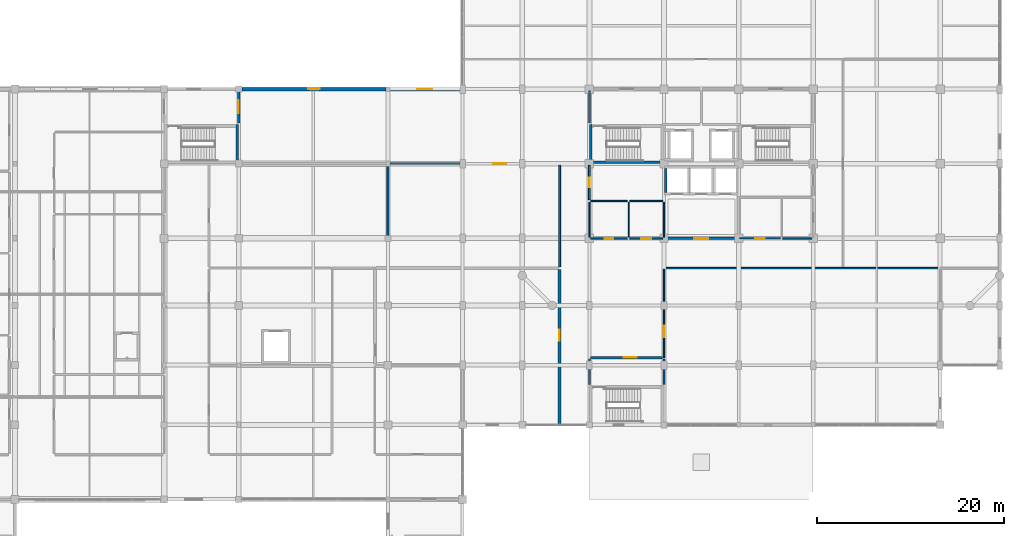
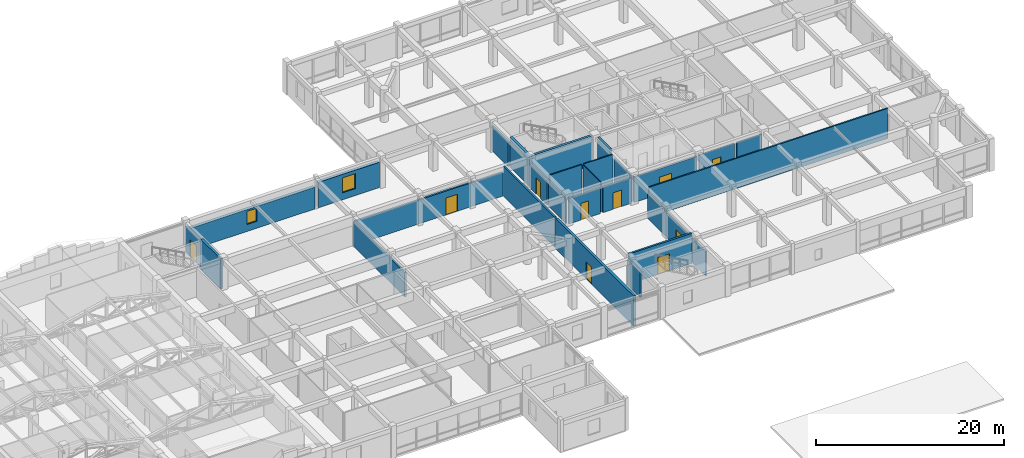
# One storey, part 30 of 35: 28 walls, 10 doors, 2 windows, 12 openings.
"""IFC4 building model written with IfcOpenShell, lengths in metres."""

from ifc_helpers import new_model, si_unit, direction, frame, frame_2d, origin, place, context, subcontext, project, spatial, rectangle, extrude, material, layer, layer_set, type_object, element, fill, save


model = new_model("IFC4")

# Units and contexts
model_context = context("Model", 3, precision=1e-05, world=origin(), true_north=direction((0.0, 1.0)))
body_context = subcontext(model_context, "Body", "Model", "MODEL_VIEW")
ifc_project = project(units=[si_unit("LENGTHUNIT", "METRE"), si_unit("AREAUNIT", "SQUARE_METRE"), si_unit("VOLUMEUNIT", "CUBIC_METRE"), si_unit("PLANEANGLEUNIT", "RADIAN"), si_unit("MASSUNIT", "GRAM", prefix="KILO")], contexts=[model_context])

# Site, building, storey
site_placement = place(None, origin())
site = spatial("IfcSite", under=ifc_project, at=site_placement, CompositionType="ELEMENT")
building_placement = place(site_placement, origin())
building = spatial("IfcBuilding", under=site, at=building_placement, Name="Vellmiral Cinema and Media Centre", CompositionType="ELEMENT")
storey_placement = place(building_placement, frame((0.0, 0.0, 15.60009765625)))
storey = spatial("IfcBuildingStorey", under=building, at=storey_placement, Name="L03", CompositionType="ELEMENT", Elevation=15.60009765625)

# Wall, opening, door
ifc_material_1 = material(Name="Calcium-Silicate Masonry Blockwork", Category="masonry")
ifc_layer_1 = layer(ifc_material_1, 0.10009765625, Name="Calcium-Silicate Masonry Blockwork", Category="masonry")
ifc_material_2 = material(Name="Mineral Wool Acoustic Insulation", Category="insulation")
ifc_layer_2 = layer(ifc_material_2, 0.090087890625, Name="Mineral Wool Acoustic Insulation", Category="insulation")
ifc_layer_3 = layer(ifc_material_1, 0.10009765625, Name="Calcium-Silicate Masonry Blockwork", Category="masonry")
ifc_layer_set_1 = layer_set([ifc_layer_1, ifc_layer_2, ifc_layer_3], Name="Calcium-Silicate Masonry Blockwork")
wall_type_1 = type_object("IfcWallType", Name="WL-AC-290", PredefinedType="SOLIDWALL", material=ifc_layer_set_1)
wall_1_placement = place(storey_placement, frame((120.800048828125, 59.304931640625, 0.0), z_axis=(0.0, 0.0, 1.0), x_axis=(0.0, 1.0, 0.0)))
wall_1 = element("IfcWall", 1, at=wall_1_placement, inside=storey, type_object=wall_type_1, Name="Colour Mastering Suite 02 Wall E", PredefinedType="SOLIDWALL", context=body_context, shape_type="SweptSolid", body=[
    extrude(rectangle(XDim=16.55517578125, YDim=0.2900390625, at=frame_2d((8.277587890625, 0.0))), origin(), (0.0, 0.0, 1.0), 3.89990234375),
])
opening_1_placement = place(wall_1_placement, frame((8.89501953125, 0.0, 0.0)))
opening_1 = element("IfcOpeningElement", 2, at=opening_1_placement, cuts=wall_1, Name="Opening D-AC5", PredefinedType="OPENING", context=body_context, shape_type="SweptSolid", body=[
    extrude(rectangle(XDim=1.199951171875, YDim=2.199951171875, at=frame_2d((0.60009765625, 1.10009765625))), frame((0.0, 0.156982421875, 0.0), z_axis=(0.0, -1.0, 0.0), x_axis=(1.0, 0.0, 0.0)), (0.0, 0.0, 1.0), 0.31396484375),
])
ifc_material_3 = material(Name="Acoustic Mastering Door", Category="steel")
door_type_1 = type_object("IfcDoorType", Name="DR-AC-1200x2200", OperationType="NOTDEFINED", PredefinedType="DOOR", material=ifc_material_3)
door_1_placement = place(opening_1_placement, origin())
door_1 = element("IfcDoor", 3, at=door_1_placement, inside=storey, type_object=door_type_1, Name="Colour Mastering Suite 02 Door", OperationType="SINGLE_SWING_RIGHT", OverallHeight=2.199951171875, OverallWidth=1.199951171875, PredefinedType="DOOR", context=body_context, shape_type="SweptSolid", body=[
    extrude(rectangle(XDim=1.199951171875, YDim=2.199951171875, at=frame_2d((0.60009765625, 1.10009765625))), frame((0.0, 0.02490234375, 0.0), z_axis=(0.0, -1.0, 0.0), x_axis=(1.0, 0.0, 0.0)), (0.0, 0.0, 1.0), 0.050048828125),
])
fill(opening_1, door_1)

ifc_material_4 = material(Name="Concrete C40/50", Category="concrete")
ifc_layer_4 = layer(ifc_material_4, 0.2099609375, Name="Concrete C40/50")
ifc_layer_set_2 = layer_set([ifc_layer_4], Name="Concrete C40/50")
wall_type_2 = type_object("IfcWallType", Name="WL-COMP-210", PredefinedType="SOLIDWALL", material=ifc_layer_set_2)
wall_2_placement = place(storey_placement, frame((124.0, 83.340087890625, 0.0), z_axis=(0.0, 0.0, 1.0), x_axis=(0.0, 1.0, 0.0)))
wall_2 = element("IfcWall", 4, at=wall_2_placement, inside=storey, type_object=wall_type_2, Name="Electrical and Telecom Riser Room Wall W", PredefinedType="SOLIDWALL", context=body_context, shape_type="SweptSolid", body=[
    extrude(rectangle(XDim=3.719970703125, YDim=0.2099609375, at=frame_2d((1.85986328125, 0.0))), origin(), (0.0, 0.0, 1.0), 3.094970703125),
])
opening_2_placement = place(wall_2_placement, frame((1.360107421875, 0.0, 0.0)))
opening_2 = element("IfcOpeningElement", 5, at=opening_2_placement, cuts=wall_2, Name="Opening D-FD30B", PredefinedType="OPENING", context=body_context, shape_type="SweptSolid", body=[
    extrude(rectangle(XDim=1.0, YDim=2.14990234375, at=frame_2d((0.5, 1.074951171875))), frame((0.0, 0.116943359375, 0.0), z_axis=(0.0, -1.0, 0.0), x_axis=(1.0, 0.0, 0.0)), (0.0, 0.0, 1.0), 0.23388671875),
])
ifc_material_5 = material(Name="Steel Riser Fire Door", Category="steel")
door_type_2 = type_object("IfcDoorType", Name="DR-FD30-1000x2150", OperationType="NOTDEFINED", PredefinedType="DOOR", material=ifc_material_5)
door_2_placement = place(opening_2_placement, frame((1.0, 0.0, 0.0), z_axis=(0.0, 0.0, 1.0), x_axis=(-1.0, 0.0, 0.0)))
door_2 = element("IfcDoor", 6, at=door_2_placement, inside=storey, type_object=door_type_2, Name="Electrical and Telecom Riser Room Door", OperationType="SINGLE_SWING_RIGHT", OverallHeight=2.14990234375, OverallWidth=1.0, PredefinedType="DOOR", context=body_context, shape_type="SweptSolid", body=[
    extrude(rectangle(XDim=1.0, YDim=2.14990234375, at=frame_2d((0.5, 1.074951171875))), frame((0.0, 0.02490234375, 0.0), z_axis=(0.0, -1.0, 0.0), x_axis=(1.0, 0.0, 0.0)), (0.0, 0.0, 1.0), 0.050048828125),
])
fill(opening_2, door_2)

# Wall
wall_3_placement = place(storey_placement, frame((102.39990234375, 76.139892578125, 0.0), z_axis=(0.0, 0.0, 1.0), x_axis=(0.0, 1.0, 0.0)))
element("IfcWall", 7, at=wall_3_placement, inside=storey, type_object=wall_type_2, Name="Media Library Reference Stacks Wall E", PredefinedType="SOLIDWALL", context=body_context, shape_type="SweptSolid", body=[
    extrude(rectangle(XDim=10.920166015625, YDim=0.2099609375, at=frame_2d((5.4599609375, 0.0))), origin(), (0.0, 0.0, 1.0), 3.14501953125),
])

# Wall, opening, door
wall_4_placement = place(storey_placement, frame((102.5400390625, 87.199951171875, 0.0), z_axis=(0.0, 0.0, 1.0), x_axis=(1.0, 0.0, 0.0)))
wall_4 = element("IfcWall", 8, at=wall_4_placement, inside=storey, type_object=wall_type_2, Name="Compact Archive Shelving Zone Wall N", PredefinedType="SOLIDWALL", context=body_context, shape_type="SweptSolid", body=[
    extrude(rectangle(XDim=18.119873046875, YDim=0.2099609375, at=frame_2d((9.06005859375, 0.0))), origin(), (0.0, 0.0, 1.0), 3.094970703125),
])
opening_3_placement = place(wall_4_placement, frame((11.159912109375, 0.0, 0.0)))
opening_3 = element("IfcOpeningElement", 9, at=opening_3_placement, cuts=wall_4, Name="Opening D-FD60B", PredefinedType="OPENING", context=body_context, shape_type="SweptSolid", body=[
    extrude(rectangle(XDim=1.39990234375, YDim=2.199951171875, at=frame_2d((0.699951171875, 1.10009765625))), frame((0.0, 0.116943359375, 0.0), z_axis=(0.0, -1.0, 0.0), x_axis=(1.0, 0.0, 0.0)), (0.0, 0.0, 1.0), 0.23388671875),
])
ifc_material_6 = material(Name="Steel Fire Door", Category="steel")
door_type_3 = type_object("IfcDoorType", Name="DR-FD60-1400x2200", OperationType="NOTDEFINED", PredefinedType="DOOR", material=ifc_material_6)
door_3_placement = place(opening_3_placement, frame((1.39990234375, 0.0, 0.0), z_axis=(0.0, 0.0, 1.0), x_axis=(-1.0, 0.0, 0.0)))
door_3 = element("IfcDoor", 10, at=door_3_placement, inside=storey, type_object=door_type_3, Name="Compact Archive Shelving Zone Door", OperationType="SINGLE_SWING_LEFT", OverallHeight=2.199951171875, OverallWidth=1.39990234375, PredefinedType="DOOR", context=body_context, shape_type="SweptSolid", body=[
    extrude(rectangle(XDim=1.39990234375, YDim=2.199951171875, at=frame_2d((0.699951171875, 1.10009765625))), frame((0.0, 0.02490234375, 0.0), z_axis=(0.0, -1.0, 0.0), x_axis=(1.0, 0.0, 0.0)), (0.0, 0.0, 1.0), 0.050048828125),
])
fill(opening_3, door_3)

# Walls
wall_5_placement = place(storey_placement, frame((120.800048828125, 76.139892578125, 0.0), z_axis=(0.0, 0.0, 1.0), x_axis=(0.0, 1.0, 0.0)))
element("IfcWall", 11, at=wall_5_placement, inside=storey, type_object=wall_type_2, Name="Compact Archive Shelving Zone Wall E", PredefinedType="SOLIDWALL", context=body_context, shape_type="SweptSolid", body=[
    extrude(rectangle(XDim=10.920166015625, YDim=0.2099609375, at=frame_2d((5.4599609375, 0.0))), origin(), (0.0, 0.0, 1.0), 3.89990234375),
])
ifc_material_7 = material(Name="Concrete C40/50", Category="concrete")
ifc_layer_5 = layer(ifc_material_7, 0.300048828125, Name="Concrete C40/50")
ifc_layer_set_3 = layer_set([ifc_layer_5], Name="Concrete C40/50")
wall_type_3 = type_object("IfcWallType", Name="WL-CORE-300", PredefinedType="SHEAR", material=ifc_layer_set_3)
for number, where, z_axis, x_axis, name in (
    (12, (86.25, 87.199951171875, 0.0), (0.0, 0.0, 1.0), (0.0, 1.0, 0.0), "Stair Core Wall ST-P5 L03-E"),
    (13, (124.14990234375, 87.199951171875, 0.0), (0.0, 0.0, 1.0), (0.0, 1.0, 0.0), "Stair Core Wall ST-T1 L03-W"),
):
    element("IfcWall", number, at=place(storey_placement, frame(where, z_axis=z_axis, x_axis=x_axis)), inside=storey, type_object=wall_type_3, Name=name, PredefinedType="SHEAR", context=body_context, shape_type="SweptSolid", body=[
        extrude(rectangle(XDim=4.199951171875, YDim=0.300048828125, at=frame_2d((2.10009765625, 0.0))), origin(), (0.0, 0.0, 1.0), 3.89990234375),
    ])
wall_6_placement = place(storey_placement, frame((124.300048828125, 87.35009765625, 0.0), z_axis=(0.0, 0.0, 1.0), x_axis=(1.0, 0.0, 0.0)))
element("IfcWall", 14, at=wall_6_placement, inside=storey, type_object=wall_type_3, Name="Stair Core Wall ST-T1 L03-S", PredefinedType="SHEAR", context=body_context, shape_type="SweptSolid", body=[
    extrude(rectangle(XDim=7.39990234375, YDim=0.300048828125, at=frame_2d((3.699951171875, 0.0))), origin(), (0.0, 0.0, 1.0), 3.89990234375),
])

# Wall, opening, window
ifc_material_8 = material(Name="Vosges Red Sandstone Masonry", Category="masonry")
ifc_layer_6 = layer(ifc_material_8, 0.3798828125, Name="Vosges Red Sandstone Masonry")
ifc_layer_set_4 = layer_set([ifc_layer_6], Name="Vosges Red Sandstone Masonry")
wall_type_4 = type_object("IfcWallType", Name="WL-EXT-SAND-380", PredefinedType="SOLIDWALL", material=ifc_layer_set_4)
wall_7_placement = place(storey_placement, frame((110.10009765625, 95.199951171875, 0.0), z_axis=(0.0, 0.0, 1.0), x_axis=(-1.0, 0.0, 0.0)))
wall_7 = element("IfcWall", 15, at=wall_7_placement, inside=storey, type_object=wall_type_4, Name="Exterior Facade Wall L03-037", PredefinedType="SOLIDWALL", context=body_context, shape_type="SweptSolid", body=[
    extrude(rectangle(XDim=7.5, YDim=0.3798828125, at=frame_2d((3.75, 0.0))), origin(), (0.0, 0.0, 1.0), 3.2998046875),
])
opening_4_placement = place(wall_7_placement, frame((2.949951171875, 0.0, 0.89990234375)))
opening_4 = element("IfcOpeningElement", 16, at=opening_4_placement, cuts=wall_7, Name="Opening WN-05", PredefinedType="OPENING", context=body_context, shape_type="SweptSolid", body=[
    extrude(rectangle(XDim=1.60009765625, YDim=1.949951171875, at=frame_2d((0.800048828125, 0.97509765625))), frame((0.0, 0.201904296875, 0.0), z_axis=(0.0, -1.0, 0.0), x_axis=(1.0, 0.0, 0.0)), (0.0, 0.0, 1.0), 0.40380859375),
])
ifc_material_9 = material(Name="Thermally Broken Aluminium Triple Glazing", Category="aluminium")
window_type_1 = type_object("IfcWindowType", Name="WN-1600x1950", PartitioningType="DOUBLE_PANEL_VERTICAL", PredefinedType="WINDOW", material=ifc_material_9)
window_1_placement = place(opening_4_placement, origin())
window_1 = element("IfcWindow", 17, at=window_1_placement, inside=storey, type_object=window_type_1, Name="Window L03-037", OverallHeight=1.949951171875, OverallWidth=1.60009765625, PartitioningType="DOUBLE_PANEL_VERTICAL", PredefinedType="WINDOW", context=body_context, shape_type="SweptSolid", body=[
    extrude(rectangle(XDim=1.60009765625, YDim=1.949951171875, at=frame_2d((0.800048828125, 0.97509765625))), frame((0.0, 0.030029296875, 0.0), z_axis=(0.0, -1.0, 0.0), x_axis=(1.0, 0.0, 0.0)), (0.0, 0.0, 1.0), 0.06005859375),
])
fill(opening_4, window_1)

wall_8_placement = place(storey_placement, frame((102.199951171875, 95.199951171875, 0.0), z_axis=(0.0, 0.0, 1.0), x_axis=(-1.0, 0.0, 0.0)))
wall_8 = element("IfcWall", 18, at=wall_8_placement, inside=storey, type_object=wall_type_4, Name="Exterior Facade Wall L03-038", PredefinedType="SOLIDWALL", context=body_context, shape_type="SweptSolid", body=[
    extrude(rectangle(XDim=15.474853515625, YDim=0.3798828125, at=frame_2d((7.7373046875, 0.0))), origin(), (0.0, 0.0, 1.0), 2.8349609375),
])
opening_5_placement = place(wall_8_placement, frame((7.137451171875, 0.0, 0.89990234375)))
opening_5 = element("IfcOpeningElement", 19, at=opening_5_placement, cuts=wall_8, Name="Opening WN-10", PredefinedType="OPENING", context=body_context, shape_type="SweptSolid", body=[
    extrude(rectangle(XDim=1.199951171875, YDim=1.699951171875, at=frame_2d((0.60009765625, 0.85009765625))), frame((0.0, 0.201904296875, 0.0), z_axis=(0.0, -1.0, 0.0), x_axis=(1.0, 0.0, 0.0)), (0.0, 0.0, 1.0), 0.40380859375),
])
ifc_material_10 = material(Name="Thermally Broken Aluminium Triple Glazing", Category="aluminium")
window_type_2 = type_object("IfcWindowType", Name="WN-1200x1700", PartitioningType="SINGLE_PANEL", PredefinedType="WINDOW", material=ifc_material_10)
window_2_placement = place(opening_5_placement, origin())
window_2 = element("IfcWindow", 20, at=window_2_placement, inside=storey, type_object=window_type_2, Name="Window L03-038", OverallHeight=1.699951171875, OverallWidth=1.199951171875, PartitioningType="SINGLE_PANEL", PredefinedType="WINDOW", context=body_context, shape_type="SweptSolid", body=[
    extrude(rectangle(XDim=1.199951171875, YDim=1.699951171875, at=frame_2d((0.60009765625, 0.85009765625))), frame((0.0, 0.030029296875, 0.0), z_axis=(0.0, -1.0, 0.0), x_axis=(1.0, 0.0, 0.0)), (0.0, 0.0, 1.0), 0.06005859375),
])
fill(opening_5, window_2)

# Wall, opening, door
ifc_material_11 = material(Name="Concrete C40/50", Category="concrete")
ifc_layer_7 = layer(ifc_material_11, 0.22998046875, Name="Concrete C40/50")
ifc_layer_set_5 = layer_set([ifc_layer_7], Name="Concrete C40/50")
wall_type_5 = type_object("IfcWallType", Name="WL-FFL-230", PredefinedType="SOLIDWALL", material=ifc_layer_set_5)
wall_9_placement = place(storey_placement, frame((86.39990234375, 91.5400390625, 0.0), z_axis=(0.0, 0.0, 1.0), x_axis=(0.0, 1.0, 0.0)))
wall_9 = element("IfcWall", 21, at=wall_9_placement, inside=storey, type_object=wall_type_5, Name="Firefighting Stair Lobby ST-P5 Wall E", PredefinedType="SOLIDWALL", context=body_context, shape_type="SweptSolid", body=[
    extrude(rectangle(XDim=3.455078125, YDim=0.22998046875, at=frame_2d((1.7275390625, 0.0))), origin(), (0.0, 0.0, 1.0), 3.344970703125),
])
opening_6_placement = place(wall_9_placement, frame((1.06005859375, 0.0, 0.0)))
opening_6 = element("IfcOpeningElement", 22, at=opening_6_placement, cuts=wall_9, Name="Opening D-FD60B", PredefinedType="OPENING", context=body_context, shape_type="SweptSolid", body=[
    extrude(rectangle(XDim=1.39990234375, YDim=2.199951171875, at=frame_2d((0.699951171875, 1.10009765625))), frame((0.0, 0.126953125, 0.0), z_axis=(0.0, -1.0, 0.0), x_axis=(1.0, 0.0, 0.0)), (0.0, 0.0, 1.0), 0.25390625),
])
door_4_placement = place(opening_6_placement, origin())
door_4 = element("IfcDoor", 23, at=door_4_placement, inside=storey, type_object=door_type_3, Name="Firefighting Stair Lobby ST-P5 Door", OperationType="SINGLE_SWING_RIGHT", OverallHeight=2.199951171875, OverallWidth=1.39990234375, PredefinedType="DOOR", context=body_context, shape_type="SweptSolid", body=[
    extrude(rectangle(XDim=1.39990234375, YDim=2.199951171875, at=frame_2d((0.699951171875, 1.10009765625))), frame((0.0, 0.02490234375, 0.0), z_axis=(0.0, -1.0, 0.0), x_axis=(1.0, 0.0, 0.0)), (0.0, 0.0, 1.0), 0.050048828125),
])
fill(opening_6, door_4)

wall_10_placement = place(storey_placement, frame((124.139892578125, 66.39990234375, 0.0), z_axis=(0.0, 0.0, 1.0), x_axis=(1.0, 0.0, 0.0)))
wall_10 = element("IfcWall", 24, at=wall_10_placement, inside=storey, type_object=wall_type_5, Name="Firefighting Stair Lobby ST-P6 Wall N", PredefinedType="SOLIDWALL", context=body_context, shape_type="SweptSolid", body=[
    extrude(rectangle(XDim=7.72021484375, YDim=0.22998046875, at=frame_2d((3.860107421875, 0.0))), origin(), (0.0, 0.0, 1.0), 3.89990234375),
])
opening_7_placement = place(wall_10_placement, frame((3.56005859375, 0.0, 0.0)))
opening_7 = element("IfcOpeningElement", 25, at=opening_7_placement, cuts=wall_10, Name="Opening D-FD60B", PredefinedType="OPENING", context=body_context, shape_type="SweptSolid", body=[
    extrude(rectangle(XDim=1.39990234375, YDim=2.199951171875, at=frame_2d((0.699951171875, 1.10009765625))), frame((0.0, 0.126953125, 0.0), z_axis=(0.0, -1.0, 0.0), x_axis=(1.0, 0.0, 0.0)), (0.0, 0.0, 1.0), 0.25390625),
])
door_5_placement = place(opening_7_placement, frame((1.39990234375, 0.0, 0.0), z_axis=(0.0, 0.0, 1.0), x_axis=(-1.0, 0.0, 0.0)))
door_5 = element("IfcDoor", 26, at=door_5_placement, inside=storey, type_object=door_type_3, Name="Firefighting Stair Lobby ST-P6 Door", OperationType="SINGLE_SWING_LEFT", OverallHeight=2.199951171875, OverallWidth=1.39990234375, PredefinedType="DOOR", context=body_context, shape_type="SweptSolid", body=[
    extrude(rectangle(XDim=1.39990234375, YDim=2.199951171875, at=frame_2d((0.699951171875, 1.10009765625))), frame((0.0, 0.02490234375, 0.0), z_axis=(0.0, -1.0, 0.0), x_axis=(1.0, 0.0, 0.0)), (0.0, 0.0, 1.0), 0.050048828125),
])
fill(opening_7, door_5)

# Walls
wall_11_placement = place(storey_placement, frame((124.0, 63.5400390625, 0.0), z_axis=(0.0, 0.0, 1.0), x_axis=(0.0, 1.0, 0.0)))
element("IfcWall", 27, at=wall_11_placement, inside=storey, type_object=wall_type_5, Name="Firefighting Stair Lobby ST-P6 Wall W", PredefinedType="SOLIDWALL", context=body_context, shape_type="SweptSolid", body=[
    extrude(rectangle(XDim=2.719970703125, YDim=0.22998046875, at=frame_2d((1.35986328125, 0.0))), origin(), (0.0, 0.0, 1.0), 3.294921875),
])
wall_12_placement = place(storey_placement, frame((132.0, 63.5400390625, 0.0), z_axis=(0.0, 0.0, 1.0), x_axis=(0.0, 1.0, 0.0)))
element("IfcWall", 28, at=wall_12_placement, inside=storey, type_object=wall_type_5, Name="Firefighting Stair Lobby ST-P6 Wall E", PredefinedType="SOLIDWALL", context=body_context, shape_type="SweptSolid", body=[
    extrude(rectangle(XDim=2.719970703125, YDim=0.22998046875, at=frame_2d((1.35986328125, 0.0))), origin(), (0.0, 0.0, 1.0), 3.14501953125),
])
wall_13_placement = place(storey_placement, frame((124.0, 91.5400390625, 0.0), z_axis=(0.0, 0.0, 1.0), x_axis=(0.0, 1.0, 0.0)))
element("IfcWall", 29, at=wall_13_placement, inside=storey, type_object=wall_type_5, Name="Firefighting Lobby West Wall W", PredefinedType="SOLIDWALL", context=body_context, shape_type="SweptSolid", body=[
    extrude(rectangle(XDim=3.52001953125, YDim=0.22998046875, at=frame_2d((1.760009765625, 0.0))), origin(), (0.0, 0.0, 1.0), 3.14501953125),
])

# Wall, opening, door
wall_14_placement = place(storey_placement, frame((132.139892578125, 79.199951171875, 0.0), z_axis=(0.0, 0.0, 1.0), x_axis=(1.0, 0.0, 0.0)))
wall_14 = element("IfcWall", 30, at=wall_14_placement, inside=storey, type_object=wall_type_5, Name="Tower Passenger Lift Lobby Wall S", PredefinedType="SOLIDWALL", context=body_context, shape_type="SweptSolid", body=[
    extrude(rectangle(XDim=7.72021484375, YDim=0.22998046875, at=frame_2d((3.860107421875, 0.0))), origin(), (0.0, 0.0, 1.0), 3.294921875),
])
opening_8_placement = place(wall_14_placement, frame((3.110107421875, 0.0, 0.0)))
opening_8 = element("IfcOpeningElement", 31, at=opening_8_placement, cuts=wall_14, Name="Opening D-FD30", PredefinedType="OPENING", context=body_context, shape_type="SweptSolid", body=[
    extrude(rectangle(XDim=1.5, YDim=2.199951171875, at=frame_2d((0.75, 1.10009765625))), frame((0.0, 0.126953125, 0.0), z_axis=(0.0, -1.0, 0.0), x_axis=(1.0, 0.0, 0.0)), (0.0, 0.0, 1.0), 0.25390625),
])
ifc_material_12 = material(Name="Timber-Core Fire Door", Category="wood")
door_type_4 = type_object("IfcDoorType", Name="DR-FD30-1500x2200", OperationType="DOUBLE_DOOR_SINGLE_SWING", PredefinedType="DOOR", material=ifc_material_12)
door_6_placement = place(opening_8_placement, frame((1.5, 0.0, 0.0), z_axis=(0.0, 0.0, 1.0), x_axis=(-1.0, 0.0, 0.0)))
door_6 = element("IfcDoor", 32, at=door_6_placement, inside=storey, type_object=door_type_4, Name="Tower Passenger Lift Lobby Door", OperationType="DOUBLE_DOOR_SINGLE_SWING", OverallHeight=2.199951171875, OverallWidth=1.5, PredefinedType="DOOR", context=body_context, shape_type="SweptSolid", body=[
    extrude(rectangle(XDim=1.5, YDim=2.199951171875, at=frame_2d((0.75, 1.10009765625))), frame((0.0, 0.02490234375, 0.0), z_axis=(0.0, -1.0, 0.0), x_axis=(1.0, 0.0, 0.0)), (0.0, 0.0, 1.0), 0.050048828125),
])
fill(opening_8, door_6)

# Walls
ifc_material_13 = material(Name="Gypsum Plasterboard")
ifc_layer_8 = layer(ifc_material_13, 0.02490234375, Name="Gypsum Plasterboard", Category="gypsum")
ifc_material_14 = material(Name="Mineral Wool Acoustic Insulation", Category="insulation")
ifc_layer_9 = layer(ifc_material_14, 0.06005859375, Name="Mineral Wool Acoustic Insulation", Category="insulation")
ifc_layer_10 = layer(ifc_material_13, 0.02490234375, Name="Gypsum Plasterboard", Category="gypsum")
ifc_layer_set_6 = layer_set([ifc_layer_8, ifc_layer_9, ifc_layer_10], Name="Gypsum Plasterboard")
wall_type_6 = type_object("IfcWallType", Name="WL-PART-110", PredefinedType="PARTITIONING", material=ifc_layer_set_6)
wall_15_placement = place(storey_placement, frame((128.199951171875, 79.340087890625, 0.0), z_axis=(0.0, 0.0, 1.0), x_axis=(0.0, 1.0, 0.0)))
element("IfcWall", 33, at=wall_15_placement, inside=storey, type_object=wall_type_6, Name="Staff WC Wall E", PredefinedType="PARTITIONING", context=body_context, shape_type="SweptSolid", body=[
    extrude(rectangle(XDim=3.719970703125, YDim=0.110107421875, at=frame_2d((1.85986328125, 0.0))), origin(), (0.0, 0.0, 1.0), 3.89990234375),
])
ifc_material_15 = material(Name="Gypsum Plasterboard")
ifc_layer_11 = layer(ifc_material_15, 0.02490234375, Name="Gypsum Plasterboard", Category="gypsum")
ifc_material_16 = material(Name="Mineral Wool Acoustic Insulation", Category="insulation")
ifc_layer_12 = layer(ifc_material_16, 0.080078125, Name="Mineral Wool Acoustic Insulation", Category="insulation")
ifc_layer_13 = layer(ifc_material_15, 0.02490234375, Name="Gypsum Plasterboard", Category="gypsum")
ifc_layer_set_7 = layer_set([ifc_layer_11, ifc_layer_12, ifc_layer_13], Name="Gypsum Plasterboard")
wall_type_7 = type_object("IfcWallType", Name="WL-PART-130", PredefinedType="PARTITIONING", material=ifc_layer_set_7)
wall_16_placement = place(storey_placement, frame((124.0, 79.340087890625, 0.0), z_axis=(0.0, 0.0, 1.0), x_axis=(0.0, 1.0, 0.0)))
element("IfcWall", 34, at=wall_16_placement, inside=storey, type_object=wall_type_7, Name="Staff WC Wall W", PredefinedType="PARTITIONING", context=body_context, shape_type="SweptSolid", body=[
    extrude(rectangle(XDim=3.719970703125, YDim=0.1298828125, at=frame_2d((1.85986328125, 0.0))), origin(), (0.0, 0.0, 1.0), 3.094970703125),
])
wall_17_placement = place(storey_placement, frame((132.0, 79.340087890625, 0.0), z_axis=(0.0, 0.0, 1.0), x_axis=(0.0, 1.0, 0.0)))
element("IfcWall", 35, at=wall_17_placement, inside=storey, type_object=wall_type_7, Name="Accessible WC Wall E", PredefinedType="PARTITIONING", context=body_context, shape_type="SweptSolid", body=[
    extrude(rectangle(XDim=3.719970703125, YDim=0.1298828125, at=frame_2d((1.85986328125, 0.0))), origin(), (0.0, 0.0, 1.0), 3.39501953125),
])

# Wall, opening, door
wall_18_placement = place(storey_placement, frame((140.139892578125, 79.199951171875, 0.0), z_axis=(0.0, 0.0, 1.0), x_axis=(1.0, 0.0, 0.0)))
wall_18 = element("IfcWall", 36, at=wall_18_placement, inside=storey, type_object=wall_type_7, Name="Staff Tea Pantry Wall S", PredefinedType="PARTITIONING", context=body_context, shape_type="SweptSolid", body=[
    extrude(rectangle(XDim=4.320068359375, YDim=0.1298828125, at=frame_2d((2.16015625, 0.0))), origin(), (0.0, 0.0, 1.0), 3.344970703125),
])
opening_9_placement = place(wall_18_placement, frame((1.659912109375, 0.0, 0.0)))
opening_9 = element("IfcOpeningElement", 37, at=opening_9_placement, cuts=wall_18, Name="Opening D-I08", PredefinedType="OPENING", context=body_context, shape_type="SweptSolid", body=[
    extrude(rectangle(XDim=1.0, YDim=2.14990234375, at=frame_2d((0.5, 1.074951171875))), frame((0.0, 0.076904296875, 0.0), z_axis=(0.0, -1.0, 0.0), x_axis=(1.0, 0.0, 0.0)), (0.0, 0.0, 1.0), 0.15380859375),
])
ifc_material_17 = material(Name="Laminated Timber Door", Category="wood")
door_type_5 = type_object("IfcDoorType", Name="DR-INT-1000x2150", OperationType="NOTDEFINED", PredefinedType="DOOR", material=ifc_material_17)
door_7_placement = place(opening_9_placement, origin())
door_7 = element("IfcDoor", 38, at=door_7_placement, inside=storey, type_object=door_type_5, Name="Staff Tea Pantry Door", OperationType="SINGLE_SWING_LEFT", OverallHeight=2.14990234375, OverallWidth=1.0, PredefinedType="DOOR", context=body_context, shape_type="SweptSolid", body=[
    extrude(rectangle(XDim=1.0, YDim=2.14990234375, at=frame_2d((0.5, 1.074951171875))), frame((0.0, 0.02490234375, 0.0), z_axis=(0.0, -1.0, 0.0), x_axis=(1.0, 0.0, 0.0)), (0.0, 0.0, 1.0), 0.050048828125),
])
fill(opening_9, door_7)

# Walls
ifc_material_18 = material(Name="Gypsum Plasterboard")
ifc_layer_14 = layer(ifc_material_18, 0.02490234375, Name="Gypsum Plasterboard", Category="gypsum")
ifc_material_19 = material(Name="Mineral Wool Acoustic Insulation", Category="insulation")
ifc_layer_15 = layer(ifc_material_19, 0.10009765625, Name="Mineral Wool Acoustic Insulation", Category="insulation")
ifc_layer_16 = layer(ifc_material_18, 0.02490234375, Name="Gypsum Plasterboard", Category="gypsum")
ifc_layer_set_8 = layer_set([ifc_layer_14, ifc_layer_15, ifc_layer_16], Name="Gypsum Plasterboard")
wall_type_8 = type_object("IfcWallType", Name="WL-PART-150", PredefinedType="PARTITIONING", material=ifc_layer_set_8)
wall_19_placement = place(storey_placement, frame((124.139892578125, 83.199951171875, 0.0), z_axis=(0.0, 0.0, 1.0), x_axis=(1.0, 0.0, 0.0)))
element("IfcWall", 39, at=wall_19_placement, inside=storey, type_object=wall_type_8, Name="Staff WC Wall N", PredefinedType="PARTITIONING", context=body_context, shape_type="SweptSolid", body=[
    extrude(rectangle(XDim=3.920166015625, YDim=0.14990234375, at=frame_2d((1.9599609375, 0.0))), origin(), (0.0, 0.0, 1.0), 3.89990234375),
])
wall_20_placement = place(storey_placement, frame((128.340087890625, 83.199951171875, 0.0), z_axis=(0.0, 0.0, 1.0), x_axis=(1.0, 0.0, 0.0)))
element("IfcWall", 40, at=wall_20_placement, inside=storey, type_object=wall_type_8, Name="Accessible WC Wall N", PredefinedType="PARTITIONING", context=body_context, shape_type="SweptSolid", body=[
    extrude(rectangle(XDim=3.52001953125, YDim=0.14990234375, at=frame_2d((1.760009765625, 0.0))), origin(), (0.0, 0.0, 1.0), 3.89990234375),
])

# Wall, opening, door
wall_21_placement = place(storey_placement, frame((132.0, 66.39990234375, 0.0), z_axis=(0.0, 0.0, 1.0), x_axis=(0.0, 1.0, 0.0)))
wall_21 = element("IfcWall", 41, at=wall_21_placement, inside=storey, type_object=wall_type_8, Name="Tower L03 Post-Production Office South Wall W", PredefinedType="PARTITIONING", context=body_context, shape_type="SweptSolid", body=[
    extrude(rectangle(XDim=9.460205078125, YDim=0.14990234375, at=frame_2d((4.72998046875, 0.0))), origin(), (0.0, 0.0, 1.0), 3.19482421875),
])
opening_10_placement = place(wall_21_placement, frame((2.199951171875, 0.0, 0.0)))
opening_10 = element("IfcOpeningElement", 42, at=opening_10_placement, cuts=wall_21, Name="Opening D-I05", PredefinedType="OPENING", context=body_context, shape_type="SweptSolid", body=[
    extrude(rectangle(XDim=1.199951171875, YDim=2.14990234375, at=frame_2d((0.60009765625, 1.074951171875))), frame((0.0, 0.0869140625, 0.0), z_axis=(0.0, -1.0, 0.0), x_axis=(1.0, 0.0, 0.0)), (0.0, 0.0, 1.0), 0.173828125),
])
ifc_material_20 = material(Name="Laminated Timber Door", Category="wood")
door_type_6 = type_object("IfcDoorType", Name="DR-INT-1200x2150", OperationType="NOTDEFINED", PredefinedType="DOOR", material=ifc_material_20)
door_8_placement = place(opening_10_placement, frame((1.199951171875, 0.0, 0.0), z_axis=(0.0, 0.0, 1.0), x_axis=(-1.0, 0.0, 0.0)))
door_8 = element("IfcDoor", 43, at=door_8_placement, inside=storey, type_object=door_type_6, Name="Tower L03 Post-Production Office South Door", OperationType="SINGLE_SWING_RIGHT", OverallHeight=2.14990234375, OverallWidth=1.199951171875, PredefinedType="DOOR", context=body_context, shape_type="SweptSolid", body=[
    extrude(rectangle(XDim=1.199951171875, YDim=2.14990234375, at=frame_2d((0.60009765625, 1.074951171875))), frame((0.0, 0.02490234375, 0.0), z_axis=(0.0, -1.0, 0.0), x_axis=(1.0, 0.0, 0.0)), (0.0, 0.0, 1.0), 0.050048828125),
])
fill(opening_10, door_8)

ifc_material_21 = material(Name="Gypsum Plasterboard")
ifc_layer_17 = layer(ifc_material_21, 0.02490234375, Name="Gypsum Plasterboard", Category="gypsum")
ifc_material_22 = material(Name="Mineral Wool Acoustic Insulation", Category="insulation")
ifc_layer_18 = layer(ifc_material_22, 0.1201171875, Name="Mineral Wool Acoustic Insulation", Category="insulation")
ifc_layer_19 = layer(ifc_material_21, 0.02490234375, Name="Gypsum Plasterboard", Category="gypsum")
ifc_layer_set_9 = layer_set([ifc_layer_17, ifc_layer_18, ifc_layer_19], Name="Gypsum Plasterboard")
wall_type_9 = type_object("IfcWallType", Name="WL-PART-170", PredefinedType="PARTITIONING", material=ifc_layer_set_9)
wall_22_placement = place(storey_placement, frame((124.139892578125, 79.199951171875, 0.0), z_axis=(0.0, 0.0, 1.0), x_axis=(1.0, 0.0, 0.0)))
wall_22 = element("IfcWall", 44, at=wall_22_placement, inside=storey, type_object=wall_type_9, Name="Staff WC Wall S", PredefinedType="PARTITIONING", context=body_context, shape_type="SweptSolid", body=[
    extrude(rectangle(XDim=3.920166015625, YDim=0.169921875, at=frame_2d((1.9599609375, 0.0))), origin(), (0.0, 0.0, 1.0), 3.294921875),
])
opening_11_placement = place(wall_22_placement, frame((1.485107421875, 0.0, 0.0)))
opening_11 = element("IfcOpeningElement", 45, at=opening_11_placement, cuts=wall_22, Name="Opening D-I09", PredefinedType="OPENING", context=body_context, shape_type="SweptSolid", body=[
    extrude(rectangle(XDim=0.949951171875, YDim=2.14990234375, at=frame_2d((0.47509765625, 1.074951171875))), frame((0.0, 0.096923828125, 0.0), z_axis=(0.0, -1.0, 0.0), x_axis=(1.0, 0.0, 0.0)), (0.0, 0.0, 1.0), 0.19384765625),
])
ifc_material_23 = material(Name="Moisture-Resistant Timber Door", Category="wood")
door_type_7 = type_object("IfcDoorType", Name="DR-INT-950x2150", OperationType="NOTDEFINED", PredefinedType="DOOR", material=ifc_material_23)
door_9_placement = place(opening_11_placement, origin())
door_9 = element("IfcDoor", 46, at=door_9_placement, inside=storey, type_object=door_type_7, Name="Staff WC Door", OperationType="SINGLE_SWING_RIGHT", OverallHeight=2.14990234375, OverallWidth=0.949951171875, PredefinedType="DOOR", context=body_context, shape_type="SweptSolid", body=[
    extrude(rectangle(XDim=0.949951171875, YDim=2.14990234375, at=frame_2d((0.47509765625, 1.074951171875))), frame((0.0, 0.02490234375, 0.0), z_axis=(0.0, -1.0, 0.0), x_axis=(1.0, 0.0, 0.0)), (0.0, 0.0, 1.0), 0.050048828125),
])
fill(opening_11, door_9)

wall_23_placement = place(storey_placement, frame((128.340087890625, 79.199951171875, 0.0), z_axis=(0.0, 0.0, 1.0), x_axis=(1.0, 0.0, 0.0)))
wall_23 = element("IfcWall", 47, at=wall_23_placement, inside=storey, type_object=wall_type_9, Name="Accessible WC Wall S", PredefinedType="PARTITIONING", context=body_context, shape_type="SweptSolid", body=[
    extrude(rectangle(XDim=3.52001953125, YDim=0.169921875, at=frame_2d((1.760009765625, 0.0))), origin(), (0.0, 0.0, 1.0), 3.294921875),
])
opening_12_placement = place(wall_23_placement, frame((1.235107421875, 0.0, 0.0)))
opening_12 = element("IfcOpeningElement", 48, at=opening_12_placement, cuts=wall_23, Name="Opening D-I10", PredefinedType="OPENING", context=body_context, shape_type="SweptSolid", body=[
    extrude(rectangle(XDim=1.050048828125, YDim=2.14990234375, at=frame_2d((0.52490234375, 1.074951171875))), frame((0.0, 0.096923828125, 0.0), z_axis=(0.0, -1.0, 0.0), x_axis=(1.0, 0.0, 0.0)), (0.0, 0.0, 1.0), 0.19384765625),
])
ifc_material_24 = material(Name="Barrier-Free Timber Door", Category="wood")
door_type_8 = type_object("IfcDoorType", Name="DR-ACC-1050x2150", OperationType="NOTDEFINED", PredefinedType="DOOR", material=ifc_material_24)
door_10_placement = place(opening_12_placement, origin())
door_10 = element("IfcDoor", 49, at=door_10_placement, inside=storey, type_object=door_type_8, Name="Accessible WC Door", OperationType="SINGLE_SWING_LEFT", OverallHeight=2.14990234375, OverallWidth=1.050048828125, PredefinedType="DOOR", context=body_context, shape_type="SweptSolid", body=[
    extrude(rectangle(XDim=1.050048828125, YDim=2.14990234375, at=frame_2d((0.52490234375, 1.074951171875))), frame((0.0, 0.02490234375, 0.0), z_axis=(0.0, -1.0, 0.0), x_axis=(1.0, 0.0, 0.0)), (0.0, 0.0, 1.0), 0.050048828125),
])
fill(opening_12, door_10)

# Walls
wall_24_placement = place(storey_placement, frame((144.739990234375, 79.199951171875, 0.0), z_axis=(0.0, 0.0, 1.0), x_axis=(1.0, 0.0, 0.0)))
element("IfcWall", 50, at=wall_24_placement, inside=storey, type_object=wall_type_9, Name="Equipment Store Room Wall S", PredefinedType="PARTITIONING", context=body_context, shape_type="SweptSolid", body=[
    extrude(rectangle(XDim=3.1201171875, YDim=0.169921875, at=frame_2d((1.56005859375, 0.0))), origin(), (0.0, 0.0, 1.0), 3.344970703125),
])
wall_25_placement = place(storey_placement, frame((132.139892578125, 76.0, 0.0), z_axis=(0.0, 0.0, 1.0), x_axis=(1.0, 0.0, 0.0)))
element("IfcWall", 51, at=wall_25_placement, inside=storey, type_object=wall_type_9, Name="Tower L03 Post-Production Office South Wall N", PredefinedType="PARTITIONING", context=body_context, shape_type="SweptSolid", body=[
    extrude(rectangle(XDim=29.320068359375, YDim=0.169921875, at=frame_2d((14.66015625, 0.0))), origin(), (0.0, 0.0, 1.0), 3.89990234375),
])
ifc_material_25 = material(Name="Concrete C40/50", Category="concrete")
ifc_layer_20 = layer(ifc_material_25, 0.25, Name="Concrete C40/50")
ifc_layer_set_10 = layer_set([ifc_layer_20], Name="Concrete C40/50")
wall_type_10 = type_object("IfcWallType", Name="WL-SHAFT-250", PredefinedType="SHEAR", material=ifc_layer_set_10)
wall_26_placement = place(storey_placement, frame((132.175048828125, 84.10009765625, 0.0), z_axis=(0.0, 0.0, 1.0), x_axis=(0.0, 1.0, 0.0)))
element("IfcWall", 52, at=wall_26_placement, inside=storey, type_object=wall_type_10, Name="Lift Shaft Wall LF-P1 L03-W", PredefinedType="SHEAR", context=body_context, shape_type="SweptSolid", body=[
    extrude(rectangle(XDim=2.599853515625, YDim=0.25, at=frame_2d((1.2998046875, 0.0))), origin(), (0.0, 0.0, 1.0), 3.89990234375),
])

save(model, "model.ifc")
